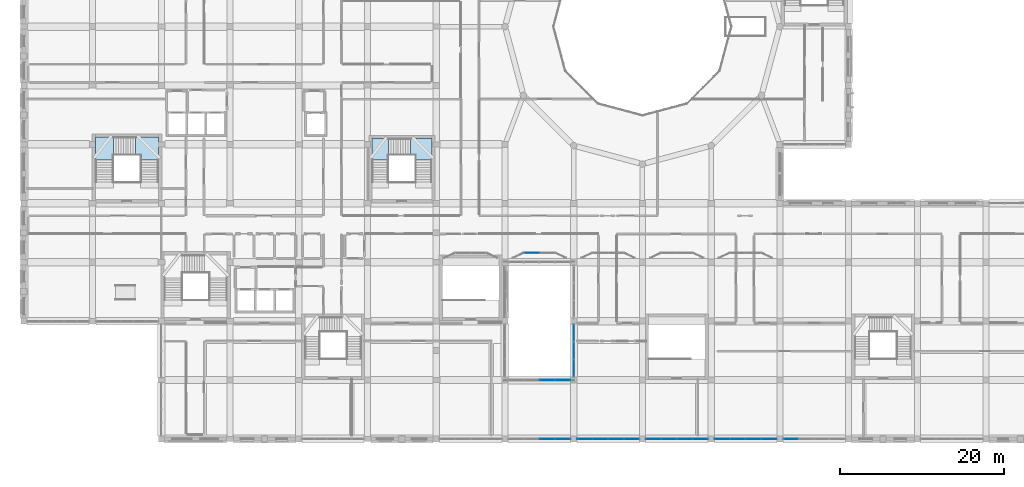
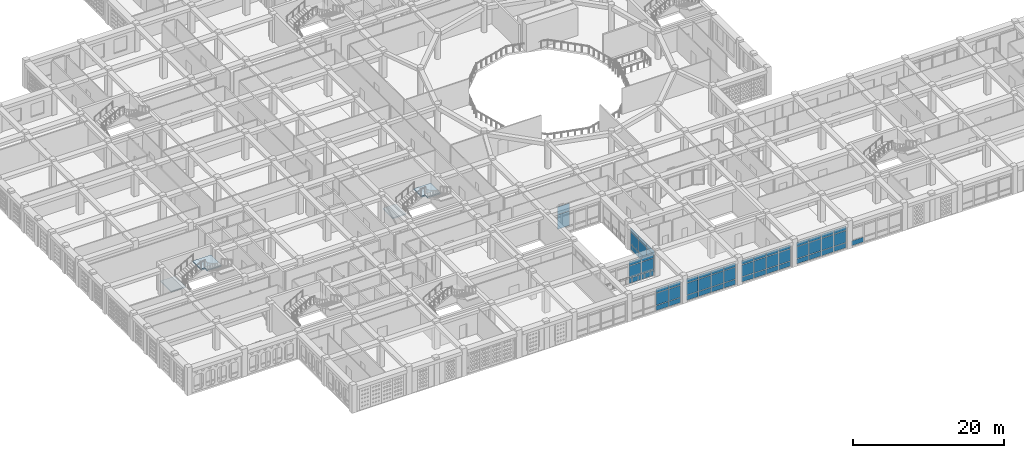
# One storey, part 64 of 121: 60 plates, 4 slabs, 10 elements without a shape of their own.
"""IFC4 building model written with IfcOpenShell, lengths in metres."""

import ifcopenshell
import ifcopenshell.guid

model = None  # the IFC model being written
_history = None  # IfcOwnerHistory: only IFC2X3 demands one
_inside = {}  # id of a spatial element -> (the spatial element, [elements in it])
_under = {}  # id of a project, library or spatial element -> (it, [spatial elements below it])
_declared = {}  # id of a project -> (the project, [libraries it declares])
_typed = {}  # id of a type object -> (the type object, [elements of that type])
_made_of = {}  # id of a material, layer set ... -> (it, [elements and type objects made of it])


def new_model(schema):
    """Start an empty IFC model of exactly this schema.

    Asked for "IFC4X3", IfcOpenShell would pick the latest addendum, in which some entities
    have other attributes; the version numbers below select the first issue.
    IFC2X3 requires an IfcOwnerHistory on every rooted entity: one is made here for all.
    """
    global model, _history
    if schema == "IFC4X3":
        model = ifcopenshell.file(schema_version=(4, 3, 0, 0))
    else:
        model = ifcopenshell.file(schema=schema)
    _inside.clear()
    _under.clear()
    _declared.clear()
    _typed.clear()
    _made_of.clear()
    _history = None
    if model.schema == "IFC2X3":
        org = make("IfcOrganization", Name="unknown")
        user = make(
            "IfcPersonAndOrganization",
            ThePerson=make("IfcPerson", FamilyName="unknown"),
            TheOrganization=org,
        )
        app = make(
            "IfcApplication",
            ApplicationDeveloper=org,
            Version="unknown",
            ApplicationFullName="unknown",
            ApplicationIdentifier="unknown",
        )
        _history = make(
            "IfcOwnerHistory",
            OwningUser=user,
            OwningApplication=app,
            ChangeAction="ADDED",
            CreationDate=0,
        )
    return model


def make(cls, **values):
    """One entity of the class cls with the attributes given. An attribute that is None is left unset."""
    return model.create_entity(
        cls, **{name: value for name, value in values.items() if value is not None}
    )


def rooted(cls, **values):
    """An entity with a GlobalId (a new one), such as an element, a storey or a relation."""
    return make(cls, GlobalId=ifcopenshell.guid.new(), OwnerHistory=_history, **values)


def si_unit(unit_type, name, prefix=None):
    """IfcSIUnit, for example si_unit("LENGTHUNIT", "METRE", prefix="MILLI")."""
    return make("IfcSIUnit", UnitType=unit_type, Prefix=prefix, Name=name)


def derived_unit(unit_type, elements):
    """IfcDerivedUnit: a product of units, each with its exponent."""
    return make(
        "IfcDerivedUnit",
        Elements=[
            make("IfcDerivedUnitElement", Unit=unit, Exponent=power)
            for unit, power in elements
        ],
        UnitType=unit_type,
    )


def assignment(units):
    """IfcUnitAssignment: the units of a project."""
    return None if units is None else make("IfcUnitAssignment", Units=units)


def point(xyz):
    """IfcCartesianPoint."""
    return None if xyz is None else make("IfcCartesianPoint", Coordinates=xyz)


def direction(xyz):
    """IfcDirection."""
    return None if xyz is None else make("IfcDirection", DirectionRatios=xyz)


def frame(location, z_axis=None, x_axis=None):
    """IfcAxis2Placement3D, a coordinate frame: its origin and axes. An axis left out is left unset."""
    return make(
        "IfcAxis2Placement3D",
        Location=point(location),
        Axis=direction(z_axis),
        RefDirection=direction(x_axis),
    )


def frame_2d(location, x_axis=None):
    """IfcAxis2Placement2D, a coordinate frame in the plane: its origin and x axis."""
    return make(
        "IfcAxis2Placement2D", Location=point(location), RefDirection=direction(x_axis)
    )


def origin():
    """The frame at (0, 0, 0) with its axes left unset."""
    return frame((0.0, 0.0, 0.0))


def origin_2d():
    """The frame at (0, 0) in the plane with its x axis left unset."""
    return frame_2d((0.0, 0.0))


def place(relative_to, where):
    """IfcLocalPlacement: puts the frame where relative to a parent placement (None: the world)."""
    return make(
        "IfcLocalPlacement", PlacementRelTo=relative_to, RelativePlacement=where
    )


def context(
    kind, dimensions, precision=None, world=None, true_north=None, identifier=None
):
    """IfcGeometricRepresentationContext, for example the 3D "Model" context."""
    return make(
        "IfcGeometricRepresentationContext",
        ContextIdentifier=identifier,
        ContextType=kind,
        CoordinateSpaceDimension=dimensions,
        Precision=precision,
        WorldCoordinateSystem=world,
        TrueNorth=true_north,
    )


def subcontext(parent, identifier, kind, view, scale=None):
    """IfcGeometricRepresentationSubContext, for example "Body" below "Model"."""
    return make(
        "IfcGeometricRepresentationSubContext",
        ContextIdentifier=identifier,
        ContextType=kind,
        ParentContext=parent,
        TargetScale=scale,
        TargetView=view,
    )


def project(units=None, contexts=None):
    """IfcProject with its units and contexts."""
    return rooted(
        "IfcProject",
        Name="project",
        RepresentationContexts=contexts,
        UnitsInContext=assignment(units),
    )


def spatial(cls, under=None, at=None, **own):
    """A site, building, storey or space (cls), placed at a placement, below another one or the project."""
    s = rooted(cls, ObjectPlacement=at, **own)
    if under is not None:
        _under.setdefault(under.id(), (under, []))[1].append(s)
    return s


def polyline(points):
    """IfcPolyline through the points."""
    return make("IfcPolyline", Points=[point(p) for p in points])


def profile(cls, at=None, kind="AREA", **sizes):
    """A parametric profile (cls). Its sizes go by their IFC names, for example OverallWidth=200.0."""
    return make(cls, ProfileType=kind, Position=at, **sizes)


def rectangle(**sizes):
    """IfcRectangleProfileDef."""
    return profile("IfcRectangleProfileDef", **sizes)


def outline(outer, holes=None, kind="AREA"):
    """IfcArbitraryClosedProfileDef: a profile drawn as a closed curve; with holes, ...WithVoids."""
    if holes is None:
        return make("IfcArbitraryClosedProfileDef", ProfileType=kind, OuterCurve=outer)
    return make(
        "IfcArbitraryProfileDefWithVoids",
        ProfileType=kind,
        OuterCurve=outer,
        InnerCurves=holes,
    )


def extrude(swept, where, along, depth):
    """IfcExtrudedAreaSolid: the profile swept, set in the frame where, extruded along a direction by depth."""
    return make(
        "IfcExtrudedAreaSolid",
        SweptArea=swept,
        Position=where,
        ExtrudedDirection=direction(along),
        Depth=depth,
    )


def shape(context_of_items, identifier, shape_type, items):
    """IfcShapeRepresentation: the items that make up one representation, for example the "Body"."""
    return make(
        "IfcShapeRepresentation",
        ContextOfItems=context_of_items,
        RepresentationIdentifier=identifier,
        RepresentationType=shape_type,
        Items=items,
    )


def material(Name=None, Category=None):
    """IfcMaterial."""
    return make("IfcMaterial", Name=Name, Category=Category)


def layer(
    of_material, thickness, ventilated=None, Name=None, Category=None, Priority=None
):
    """IfcMaterialLayer: one layer of a wall or slab, of a material (None: an air gap)."""
    return make(
        "IfcMaterialLayer",
        Material=of_material,
        LayerThickness=thickness,
        IsVentilated=ventilated,
        Name=Name,
        Category=Category,
        Priority=Priority,
    )


def layer_set(layers, Name=None):
    """IfcMaterialLayerSet."""
    return make("IfcMaterialLayerSet", MaterialLayers=layers, LayerSetName=Name)


def made_of(thing, what):
    """Note that an element or type object is made of a material, layer set ...; save() writes the relation."""
    if what is not None:
        _made_of.setdefault(what.id(), (what, []))[1].append(thing)
    return thing


def type_object(cls, material=None, **own):
    """A type object (cls), such as IfcWallType, which elements share."""
    return made_of(rooted(cls, **own), material)


def element(
    cls,
    number,
    at=None,
    inside=None,
    cuts=None,
    type_object=None,
    material=None,
    context=None,
    identifier="Body",
    shape_type=None,
    held_by="IfcProductDefinitionShape",
    body=None,
    shapes=None,
    **own,
):
    """One element of the class cls, such as IfcWall. Its Tag is "e" and its number.

    at: its placement. inside: the storey or other place that contains it. cuts: it is an
    opening in that element (IfcRelVoidsElement). A single representation is given by context,
    identifier, shape_type and body (its items); several are given by shapes. held_by: the class
    of the entity that holds the representations. save() writes the other relations.
    """
    e = rooted(cls, Tag="e%d" % number, ObjectPlacement=at, **own)
    if body is not None:
        shapes = [shape(context, identifier, shape_type, body)]
    if shapes is not None:
        e.Representation = make(held_by, Representations=shapes)
    if inside is not None:
        _inside.setdefault(inside.id(), (inside, []))[1].append(e)
    if cuts is not None:
        rooted(
            "IfcRelVoidsElement", RelatingBuildingElement=cuts, RelatedOpeningElement=e
        )
    if type_object is not None:
        _typed.setdefault(type_object.id(), (type_object, []))[1].append(e)
    return made_of(e, material)


def aggregate(whole, parts):
    """IfcRelAggregates: a whole, such as a stair, and the parts it consists of."""
    return rooted("IfcRelAggregates", RelatingObject=whole, RelatedObjects=parts)


def save(model, path):
    """Write the relations noted so far, then the file.

    IfcRelAggregates (storeys below a building ...), IfcRelContainedInSpatialStructure (elements
    in a storey), IfcRelDefinesByType, IfcRelAssociatesMaterial and IfcRelDeclares: one each for
    every whole, place, type object, material and project.
    """
    for whole, parts in _under.values():
        aggregate(whole, parts)
    for where, things in _inside.values():
        rooted(
            "IfcRelContainedInSpatialStructure",
            RelatedElements=things,
            RelatingStructure=where,
        )
    for kind, things in _typed.values():
        rooted("IfcRelDefinesByType", RelatedObjects=things, RelatingType=kind)
    for what, things in _made_of.values():
        rooted("IfcRelAssociatesMaterial", RelatedObjects=things, RelatingMaterial=what)
    for by, libraries in _declared.values():
        rooted("IfcRelDeclares", RelatingContext=by, RelatedDefinitions=libraries)
    model.write(path)


model = new_model("IFC4")

# Units and contexts
model_context = context("Model", 3, precision=1e-05, world=origin(), true_north=direction((0.0, 1.0)))
body_context = subcontext(model_context, "Body", "Model", "MODEL_VIEW")
ifc_project = project(units=[si_unit("LENGTHUNIT", "METRE"), si_unit("AREAUNIT", "SQUARE_METRE"), si_unit("VOLUMEUNIT", "CUBIC_METRE"), si_unit("PLANEANGLEUNIT", "RADIAN"), si_unit("MASSUNIT", "GRAM", prefix="KILO"), derived_unit("THERMALTRANSMITTANCEUNIT", [(si_unit("POWERUNIT", "WATT"), 1), (si_unit("LENGTHUNIT", "METRE"), -2), (si_unit("THERMODYNAMICTEMPERATUREUNIT", "KELVIN"), -1)])], contexts=[model_context])

# Site, building, storey
site_placement = place(None, origin())
site = spatial("IfcSite", under=ifc_project, at=site_placement, CompositionType="ELEMENT")
building_placement = place(site_placement, origin())
building = spatial("IfcBuilding", under=site, at=building_placement, Name="Veybourne Emporium", CompositionType="ELEMENT")
storey_placement = place(building_placement, frame((0.0, 0.0, 5.39990234375)))
storey = spatial("IfcBuildingStorey", under=building, at=storey_placement, Name="L01", CompositionType="ELEMENT", Elevation=5.39990234375)

# Curtain wall, plates
ifc_material_1 = material(Name="Patinated Architectural Bronze", Category="bronze")
curtain_wall_type_1 = type_object("IfcCurtainWallType", Name="CWSystem_CWS-08", PredefinedType="NOTDEFINED", material=ifc_material_1)
curtain_wall_1_placement = place(storey_placement, origin())
curtain_wall_1 = element("IfcCurtainWall", 1, at=curtain_wall_1_placement, inside=storey, type_object=curtain_wall_type_1, Name="L01 bronze glazed curtain wall CWS-08 (033)", PredefinedType="NOTDEFINED")
ifc_material_2 = material(Name="Low-E Triple Glazing", Category="glass")
ifc_layer_1 = layer(ifc_material_2, 0.028076171875)
ifc_layer_set_1 = layer_set([ifc_layer_1], Name="Low-E Triple Glazing")
plate_type_1 = type_object("IfcPlateType", Name="CWPanel_CW-P1", PredefinedType="CURTAIN_PANEL", material=ifc_layer_set_1)
plate_1_placement = place(storey_placement, frame((65.851318359375, 0.0, 0.070068359375), z_axis=(0.0, 0.0, 1.0), x_axis=(-1.0, 0.0, 0.0)))
plate_1 = element("IfcPlate", 2, at=plate_1_placement, type_object=plate_type_1, Name="CWS-08 panel 1.1", PredefinedType="CURTAIN_PANEL", context=body_context, shape_type="SweptSolid", body=[
    extrude(rectangle(XDim=1.8076171875, YDim=0.028076171875, at=origin_2d()), origin(), (0.0, 0.0, 1.0), 0.794921875),
])
plate_2_placement = place(storey_placement, frame((65.851318359375, 0.0, 0.93505859375), z_axis=(0.0, 0.0, 1.0), x_axis=(-1.0, 0.0, 0.0)))
plate_2 = element("IfcPlate", 3, at=plate_2_placement, type_object=plate_type_1, Name="CWS-08 panel 1.2", PredefinedType="CURTAIN_PANEL", context=body_context, shape_type="SweptSolid", body=[
    extrude(rectangle(XDim=1.8076171875, YDim=0.028076171875, at=origin_2d()), origin(), (0.0, 0.0, 1.0), 1.909912109375),
])
plate_3_placement = place(storey_placement, frame((65.851318359375, 0.0, 2.9150390625), z_axis=(0.0, 0.0, 1.0), x_axis=(-1.0, 0.0, 0.0)))
plate_3 = element("IfcPlate", 4, at=plate_3_placement, type_object=plate_type_1, Name="CWS-08 panel 1.3", PredefinedType="CURTAIN_PANEL", context=body_context, shape_type="SweptSolid", body=[
    extrude(rectangle(XDim=1.8076171875, YDim=0.028076171875, at=origin_2d()), origin(), (0.0, 0.0, 1.0), 0.64501953125),
])
plate_4_placement = place(storey_placement, frame((63.956298828125, 0.0, 0.070068359375), z_axis=(0.0, 0.0, 1.0), x_axis=(-1.0, 0.0, 0.0)))
plate_4 = element("IfcPlate", 5, at=plate_4_placement, type_object=plate_type_1, Name="CWS-08 panel 2.1", PredefinedType="CURTAIN_PANEL", context=body_context, shape_type="SweptSolid", body=[
    extrude(rectangle(XDim=1.842529296875, YDim=0.028076171875, at=origin_2d()), origin(), (0.0, 0.0, 1.0), 0.794921875),
])
plate_5_placement = place(storey_placement, frame((63.956298828125, 0.0, 0.93505859375), z_axis=(0.0, 0.0, 1.0), x_axis=(-1.0, 0.0, 0.0)))
plate_5 = element("IfcPlate", 6, at=plate_5_placement, type_object=plate_type_1, Name="CWS-08 panel 2.2", PredefinedType="CURTAIN_PANEL", context=body_context, shape_type="SweptSolid", body=[
    extrude(rectangle(XDim=1.842529296875, YDim=0.028076171875, at=origin_2d()), origin(), (0.0, 0.0, 1.0), 1.909912109375),
])
plate_6_placement = place(storey_placement, frame((63.956298828125, 0.0, 2.9150390625), z_axis=(0.0, 0.0, 1.0), x_axis=(-1.0, 0.0, 0.0)))
plate_6 = element("IfcPlate", 7, at=plate_6_placement, type_object=plate_type_1, Name="CWS-08 panel 2.3", PredefinedType="CURTAIN_PANEL", context=body_context, shape_type="SweptSolid", body=[
    extrude(rectangle(XDim=1.842529296875, YDim=0.028076171875, at=origin_2d()), origin(), (0.0, 0.0, 1.0), 0.64501953125),
])
aggregate(curtain_wall_1, [plate_1, plate_2, plate_3, plate_4, plate_5, plate_6])

curtain_wall_type_2 = type_object("IfcCurtainWallType", Name="CWSystem_CWS-09", PredefinedType="NOTDEFINED", material=ifc_material_1)
curtain_wall_2_placement = place(storey_placement, origin())
curtain_wall_2 = element("IfcCurtainWall", 8, at=curtain_wall_2_placement, inside=storey, type_object=curtain_wall_type_2, Name="L01 bronze glazed curtain wall CWS-09 (034)", PredefinedType="NOTDEFINED")
plate_7_placement = place(storey_placement, frame((63.956298828125, 7.199951171875, 0.072021484375), z_axis=(0.0, 0.0, 1.0), x_axis=(1.0, 0.0, 0.0)))
plate_7 = element("IfcPlate", 9, at=plate_7_placement, type_object=plate_type_1, Name="CWS-09 panel 3.1", PredefinedType="CURTAIN_PANEL", context=body_context, shape_type="SweptSolid", body=[
    extrude(rectangle(XDim=1.840576171875, YDim=0.028076171875, at=origin_2d()), origin(), (0.0, 0.0, 1.0), 0.7919921875),
])
plate_8_placement = place(storey_placement, frame((63.956298828125, 7.199951171875, 0.93603515625), z_axis=(0.0, 0.0, 1.0), x_axis=(1.0, 0.0, 0.0)))
plate_8 = element("IfcPlate", 10, at=plate_8_placement, type_object=plate_type_1, Name="CWS-09 panel 3.2", PredefinedType="CURTAIN_PANEL", context=body_context, shape_type="SweptSolid", body=[
    extrude(rectangle(XDim=1.840576171875, YDim=0.028076171875, at=origin_2d()), origin(), (0.0, 0.0, 1.0), 1.907958984375),
])
plate_9_placement = place(storey_placement, frame((63.956298828125, 7.199951171875, 2.916015625), z_axis=(0.0, 0.0, 1.0), x_axis=(1.0, 0.0, 0.0)))
plate_9 = element("IfcPlate", 11, at=plate_9_placement, type_object=plate_type_1, Name="CWS-09 panel 3.3", PredefinedType="CURTAIN_PANEL", context=body_context, shape_type="SweptSolid", body=[
    extrude(rectangle(XDim=1.840576171875, YDim=0.028076171875, at=origin_2d()), origin(), (0.0, 0.0, 1.0), 0.64208984375),
])
plate_10_placement = place(storey_placement, frame((65.850830078125, 7.199951171875, 0.072021484375), z_axis=(0.0, 0.0, 1.0), x_axis=(1.0, 0.0, 0.0)))
plate_10 = element("IfcPlate", 12, at=plate_10_placement, type_object=plate_type_1, Name="CWS-09 panel 4.1", PredefinedType="CURTAIN_PANEL", context=body_context, shape_type="SweptSolid", body=[
    extrude(rectangle(XDim=1.804443359375, YDim=0.028076171875, at=origin_2d()), origin(), (0.0, 0.0, 1.0), 0.7919921875),
])
plate_11_placement = place(storey_placement, frame((65.850830078125, 7.199951171875, 0.93603515625), z_axis=(0.0, 0.0, 1.0), x_axis=(1.0, 0.0, 0.0)))
plate_11 = element("IfcPlate", 13, at=plate_11_placement, type_object=plate_type_1, Name="CWS-09 panel 4.2", PredefinedType="CURTAIN_PANEL", context=body_context, shape_type="SweptSolid", body=[
    extrude(rectangle(XDim=1.804443359375, YDim=0.028076171875, at=origin_2d()), origin(), (0.0, 0.0, 1.0), 1.907958984375),
])
plate_12_placement = place(storey_placement, frame((65.850830078125, 7.199951171875, 2.916015625), z_axis=(0.0, 0.0, 1.0), x_axis=(1.0, 0.0, 0.0)))
plate_12 = element("IfcPlate", 14, at=plate_12_placement, type_object=plate_type_1, Name="CWS-09 panel 4.3", PredefinedType="CURTAIN_PANEL", context=body_context, shape_type="SweptSolid", body=[
    extrude(rectangle(XDim=1.804443359375, YDim=0.028076171875, at=origin_2d()), origin(), (0.0, 0.0, 1.0), 0.64208984375),
])
aggregate(curtain_wall_2, [plate_7, plate_8, plate_9, plate_10, plate_11, plate_12])

curtain_wall_type_3 = type_object("IfcCurtainWallType", Name="CWSystem_CWS-12", PredefinedType="NOTDEFINED", material=ifc_material_1)
curtain_wall_3_placement = place(storey_placement, origin())
curtain_wall_3 = element("IfcCurtainWall", 15, at=curtain_wall_3_placement, inside=storey, type_object=curtain_wall_type_3, Name="L01 bronze glazed curtain wall CWS-12 (037)", PredefinedType="NOTDEFINED")
plate_13_placement = place(storey_placement, frame((74.251220703125, 0.0, 0.070068359375), z_axis=(0.0, 0.0, 1.0), x_axis=(-1.0, 0.0, 0.0)))
plate_13 = element("IfcPlate", 16, at=plate_13_placement, type_object=plate_type_1, Name="CWS-12 panel 1.1", PredefinedType="CURTAIN_PANEL", context=body_context, shape_type="SweptSolid", body=[
    extrude(rectangle(XDim=1.8076171875, YDim=0.028076171875, at=origin_2d()), origin(), (0.0, 0.0, 1.0), 0.794921875),
])
plate_14_placement = place(storey_placement, frame((74.251220703125, 0.0, 0.93505859375), z_axis=(0.0, 0.0, 1.0), x_axis=(-1.0, 0.0, 0.0)))
plate_14 = element("IfcPlate", 17, at=plate_14_placement, type_object=plate_type_1, Name="CWS-12 panel 1.2", PredefinedType="CURTAIN_PANEL", context=body_context, shape_type="SweptSolid", body=[
    extrude(rectangle(XDim=1.8076171875, YDim=0.028076171875, at=origin_2d()), origin(), (0.0, 0.0, 1.0), 1.909912109375),
])
plate_15_placement = place(storey_placement, frame((74.251220703125, 0.0, 2.9150390625), z_axis=(0.0, 0.0, 1.0), x_axis=(-1.0, 0.0, 0.0)))
plate_15 = element("IfcPlate", 18, at=plate_15_placement, type_object=plate_type_1, Name="CWS-12 panel 1.3", PredefinedType="CURTAIN_PANEL", context=body_context, shape_type="SweptSolid", body=[
    extrude(rectangle(XDim=1.8076171875, YDim=0.028076171875, at=origin_2d()), origin(), (0.0, 0.0, 1.0), 0.64501953125),
])
plate_16_placement = place(storey_placement, frame((72.356201171875, 0.0, 0.070068359375), z_axis=(0.0, 0.0, 1.0), x_axis=(-1.0, 0.0, 0.0)))
plate_16 = element("IfcPlate", 19, at=plate_16_placement, type_object=plate_type_1, Name="CWS-12 panel 2.1", PredefinedType="CURTAIN_PANEL", context=body_context, shape_type="SweptSolid", body=[
    extrude(rectangle(XDim=1.842529296875, YDim=0.028076171875, at=origin_2d()), origin(), (0.0, 0.0, 1.0), 0.794921875),
])
plate_17_placement = place(storey_placement, frame((72.356201171875, 0.0, 0.93505859375), z_axis=(0.0, 0.0, 1.0), x_axis=(-1.0, 0.0, 0.0)))
plate_17 = element("IfcPlate", 20, at=plate_17_placement, type_object=plate_type_1, Name="CWS-12 panel 2.2", PredefinedType="CURTAIN_PANEL", context=body_context, shape_type="SweptSolid", body=[
    extrude(rectangle(XDim=1.842529296875, YDim=0.028076171875, at=origin_2d()), origin(), (0.0, 0.0, 1.0), 1.909912109375),
])
plate_18_placement = place(storey_placement, frame((72.356201171875, 0.0, 2.9150390625), z_axis=(0.0, 0.0, 1.0), x_axis=(-1.0, 0.0, 0.0)))
plate_18 = element("IfcPlate", 21, at=plate_18_placement, type_object=plate_type_1, Name="CWS-12 panel 2.3", PredefinedType="CURTAIN_PANEL", context=body_context, shape_type="SweptSolid", body=[
    extrude(rectangle(XDim=1.842529296875, YDim=0.028076171875, at=origin_2d()), origin(), (0.0, 0.0, 1.0), 0.64501953125),
])
plate_19_placement = place(storey_placement, frame((70.44384765625, 0.0, 0.070068359375), z_axis=(0.0, 0.0, 1.0), x_axis=(-1.0, 0.0, 0.0)))
plate_19 = element("IfcPlate", 22, at=plate_19_placement, type_object=plate_type_1, Name="CWS-12 panel 3.1", PredefinedType="CURTAIN_PANEL", context=body_context, shape_type="SweptSolid", body=[
    extrude(rectangle(XDim=1.842529296875, YDim=0.028076171875, at=origin_2d()), origin(), (0.0, 0.0, 1.0), 0.794921875),
])
plate_20_placement = place(storey_placement, frame((70.44384765625, 0.0, 0.93505859375), z_axis=(0.0, 0.0, 1.0), x_axis=(-1.0, 0.0, 0.0)))
plate_20 = element("IfcPlate", 23, at=plate_20_placement, type_object=plate_type_1, Name="CWS-12 panel 3.2", PredefinedType="CURTAIN_PANEL", context=body_context, shape_type="SweptSolid", body=[
    extrude(rectangle(XDim=1.842529296875, YDim=0.028076171875, at=origin_2d()), origin(), (0.0, 0.0, 1.0), 1.909912109375),
])
plate_21_placement = place(storey_placement, frame((70.44384765625, 0.0, 2.9150390625), z_axis=(0.0, 0.0, 1.0), x_axis=(-1.0, 0.0, 0.0)))
plate_21 = element("IfcPlate", 24, at=plate_21_placement, type_object=plate_type_1, Name="CWS-12 panel 3.3", PredefinedType="CURTAIN_PANEL", context=body_context, shape_type="SweptSolid", body=[
    extrude(rectangle(XDim=1.842529296875, YDim=0.028076171875, at=origin_2d()), origin(), (0.0, 0.0, 1.0), 0.64501953125),
])
plate_22_placement = place(storey_placement, frame((68.548828125, 0.0, 0.070068359375), z_axis=(0.0, 0.0, 1.0), x_axis=(-1.0, 0.0, 0.0)))
plate_22 = element("IfcPlate", 25, at=plate_22_placement, type_object=plate_type_1, Name="CWS-12 panel 4.1", PredefinedType="CURTAIN_PANEL", context=body_context, shape_type="SweptSolid", body=[
    extrude(rectangle(XDim=1.8076171875, YDim=0.028076171875, at=origin_2d()), origin(), (0.0, 0.0, 1.0), 0.794921875),
])
plate_23_placement = place(storey_placement, frame((68.548828125, 0.0, 0.93505859375), z_axis=(0.0, 0.0, 1.0), x_axis=(-1.0, 0.0, 0.0)))
plate_23 = element("IfcPlate", 26, at=plate_23_placement, type_object=plate_type_1, Name="CWS-12 panel 4.2", PredefinedType="CURTAIN_PANEL", context=body_context, shape_type="SweptSolid", body=[
    extrude(rectangle(XDim=1.8076171875, YDim=0.028076171875, at=origin_2d()), origin(), (0.0, 0.0, 1.0), 1.909912109375),
])
plate_24_placement = place(storey_placement, frame((68.548828125, 0.0, 2.9150390625), z_axis=(0.0, 0.0, 1.0), x_axis=(-1.0, 0.0, 0.0)))
plate_24 = element("IfcPlate", 27, at=plate_24_placement, type_object=plate_type_1, Name="CWS-12 panel 4.3", PredefinedType="CURTAIN_PANEL", context=body_context, shape_type="SweptSolid", body=[
    extrude(rectangle(XDim=1.8076171875, YDim=0.028076171875, at=origin_2d()), origin(), (0.0, 0.0, 1.0), 0.64501953125),
])
aggregate(curtain_wall_3, [plate_13, plate_14, plate_15, plate_16, plate_17, plate_18, plate_19, plate_20, plate_21, plate_22, plate_23, plate_24])

curtain_wall_type_4 = type_object("IfcCurtainWallType", Name="CWSystem_CWS-13", PredefinedType="NOTDEFINED", material=ifc_material_1)
curtain_wall_4_placement = place(storey_placement, origin())
curtain_wall_4 = element("IfcCurtainWall", 28, at=curtain_wall_4_placement, inside=storey, type_object=curtain_wall_type_4, Name="L01 bronze glazed curtain wall CWS-13 (038)", PredefinedType="NOTDEFINED")
plate_25_placement = place(storey_placement, frame((67.199951171875, 8.66796875, 0.072021484375), z_axis=(0.0, 0.0, 1.0), x_axis=(0.0, 1.0, 0.0)))
plate_25 = element("IfcPlate", 29, at=plate_25_placement, type_object=plate_type_1, Name="CWS-13 panel 1.1", PredefinedType="CURTAIN_PANEL", context=body_context, shape_type="SweptSolid", body=[
    extrude(rectangle(XDim=2.0419921875, YDim=0.028076171875, at=origin_2d()), origin(), (0.0, 0.0, 1.0), 0.7919921875),
])
plate_26_placement = place(storey_placement, frame((67.199951171875, 8.66796875, 0.93603515625), z_axis=(0.0, 0.0, 1.0), x_axis=(0.0, 1.0, 0.0)))
plate_26 = element("IfcPlate", 30, at=plate_26_placement, type_object=plate_type_1, Name="CWS-13 panel 1.2", PredefinedType="CURTAIN_PANEL", context=body_context, shape_type="SweptSolid", body=[
    extrude(rectangle(XDim=2.0419921875, YDim=0.028076171875, at=origin_2d()), origin(), (0.0, 0.0, 1.0), 1.907958984375),
])
plate_27_placement = place(storey_placement, frame((67.199951171875, 8.66796875, 2.916015625), z_axis=(0.0, 0.0, 1.0), x_axis=(0.0, 1.0, 0.0)))
plate_27 = element("IfcPlate", 31, at=plate_27_placement, type_object=plate_type_1, Name="CWS-13 panel 1.3", PredefinedType="CURTAIN_PANEL", context=body_context, shape_type="SweptSolid", body=[
    extrude(rectangle(XDim=2.0419921875, YDim=0.028076171875, at=origin_2d()), origin(), (0.0, 0.0, 1.0), 0.64208984375),
])
plate_28_placement = place(storey_placement, frame((67.199951171875, 10.800048828125, 0.072021484375), z_axis=(0.0, 0.0, 1.0), x_axis=(0.0, 1.0, 0.0)))
plate_28 = element("IfcPlate", 32, at=plate_28_placement, type_object=plate_type_1, Name="CWS-13 panel 2.1", PredefinedType="CURTAIN_PANEL", context=body_context, shape_type="SweptSolid", body=[
    extrude(rectangle(XDim=2.077880859375, YDim=0.028076171875, at=origin_2d()), origin(), (0.0, 0.0, 1.0), 0.7919921875),
])
plate_29_placement = place(storey_placement, frame((67.199951171875, 10.800048828125, 0.93603515625), z_axis=(0.0, 0.0, 1.0), x_axis=(0.0, 1.0, 0.0)))
plate_29 = element("IfcPlate", 33, at=plate_29_placement, type_object=plate_type_1, Name="CWS-13 panel 2.2", PredefinedType="CURTAIN_PANEL", context=body_context, shape_type="SweptSolid", body=[
    extrude(rectangle(XDim=2.077880859375, YDim=0.028076171875, at=origin_2d()), origin(), (0.0, 0.0, 1.0), 1.907958984375),
])
plate_30_placement = place(storey_placement, frame((67.199951171875, 10.800048828125, 2.916015625), z_axis=(0.0, 0.0, 1.0), x_axis=(0.0, 1.0, 0.0)))
plate_30 = element("IfcPlate", 34, at=plate_30_placement, type_object=plate_type_1, Name="CWS-13 panel 2.3", PredefinedType="CURTAIN_PANEL", context=body_context, shape_type="SweptSolid", body=[
    extrude(rectangle(XDim=2.077880859375, YDim=0.028076171875, at=origin_2d()), origin(), (0.0, 0.0, 1.0), 0.64208984375),
])
plate_31_placement = place(storey_placement, frame((67.199951171875, 12.931884765625, 0.072021484375), z_axis=(0.0, 0.0, 1.0), x_axis=(0.0, 1.0, 0.0)))
plate_31 = element("IfcPlate", 35, at=plate_31_placement, type_object=plate_type_1, Name="CWS-13 panel 3.1", PredefinedType="CURTAIN_PANEL", context=body_context, shape_type="SweptSolid", body=[
    extrude(rectangle(XDim=2.0419921875, YDim=0.028076171875, at=origin_2d()), origin(), (0.0, 0.0, 1.0), 0.7919921875),
])
plate_32_placement = place(storey_placement, frame((67.199951171875, 12.931884765625, 0.93603515625), z_axis=(0.0, 0.0, 1.0), x_axis=(0.0, 1.0, 0.0)))
plate_32 = element("IfcPlate", 36, at=plate_32_placement, type_object=plate_type_1, Name="CWS-13 panel 3.2", PredefinedType="CURTAIN_PANEL", context=body_context, shape_type="SweptSolid", body=[
    extrude(rectangle(XDim=2.0419921875, YDim=0.028076171875, at=origin_2d()), origin(), (0.0, 0.0, 1.0), 1.907958984375),
])
plate_33_placement = place(storey_placement, frame((67.199951171875, 12.931884765625, 2.916015625), z_axis=(0.0, 0.0, 1.0), x_axis=(0.0, 1.0, 0.0)))
plate_33 = element("IfcPlate", 37, at=plate_33_placement, type_object=plate_type_1, Name="CWS-13 panel 3.3", PredefinedType="CURTAIN_PANEL", context=body_context, shape_type="SweptSolid", body=[
    extrude(rectangle(XDim=2.0419921875, YDim=0.028076171875, at=origin_2d()), origin(), (0.0, 0.0, 1.0), 0.64208984375),
])
aggregate(curtain_wall_4, [plate_25, plate_26, plate_27, plate_28, plate_29, plate_30, plate_31, plate_32, plate_33])

curtain_wall_type_5 = type_object("IfcCurtainWallType", Name="CWSystem_CWS-15", PredefinedType="NOTDEFINED", material=ifc_material_1)
curtain_wall_5_placement = place(storey_placement, origin())
curtain_wall_5 = element("IfcCurtainWall", 38, at=curtain_wall_5_placement, inside=storey, type_object=curtain_wall_type_5, Name="L01 bronze glazed curtain wall CWS-15 (041)", PredefinedType="NOTDEFINED")
plate_34_placement = place(storey_placement, frame((82.649169921875, 0.0, 0.078125), z_axis=(0.0, 0.0, 1.0), x_axis=(-1.0, 0.0, 0.0)))
plate_34 = element("IfcPlate", 39, at=plate_34_placement, type_object=plate_type_1, Name="CWS-15 panel 1.1", PredefinedType="CURTAIN_PANEL", context=body_context, shape_type="SweptSolid", body=[
    extrude(rectangle(XDim=1.79541015625, YDim=0.028076171875, at=origin_2d()), origin(), (0.0, 0.0, 1.0), 0.782958984375),
])
plate_35_placement = place(storey_placement, frame((82.649169921875, 0.0, 0.93896484375), z_axis=(0.0, 0.0, 1.0), x_axis=(-1.0, 0.0, 0.0)))
plate_35 = element("IfcPlate", 40, at=plate_35_placement, type_object=plate_type_1, Name="CWS-15 panel 1.2", PredefinedType="CURTAIN_PANEL", context=body_context, shape_type="SweptSolid", body=[
    extrude(rectangle(XDim=1.79541015625, YDim=0.028076171875, at=origin_2d()), origin(), (0.0, 0.0, 1.0), 1.902099609375),
])
plate_36_placement = place(storey_placement, frame((82.649169921875, 0.0, 2.9189453125), z_axis=(0.0, 0.0, 1.0), x_axis=(-1.0, 0.0, 0.0)))
plate_36 = element("IfcPlate", 41, at=plate_36_placement, type_object=plate_type_1, Name="CWS-15 panel 1.3", PredefinedType="CURTAIN_PANEL", context=body_context, shape_type="SweptSolid", body=[
    extrude(rectangle(XDim=1.79541015625, YDim=0.028076171875, at=origin_2d()), origin(), (0.0, 0.0, 1.0), 0.633056640625),
])
plate_37_placement = place(storey_placement, frame((80.75634765625, 0.0, 0.078125), z_axis=(0.0, 0.0, 1.0), x_axis=(-1.0, 0.0, 0.0)))
plate_37 = element("IfcPlate", 42, at=plate_37_placement, type_object=plate_type_1, Name="CWS-15 panel 2.1", PredefinedType="CURTAIN_PANEL", context=body_context, shape_type="SweptSolid", body=[
    extrude(rectangle(XDim=1.83447265625, YDim=0.028076171875, at=origin_2d()), origin(), (0.0, 0.0, 1.0), 0.782958984375),
])
plate_38_placement = place(storey_placement, frame((80.75634765625, 0.0, 0.93896484375), z_axis=(0.0, 0.0, 1.0), x_axis=(-1.0, 0.0, 0.0)))
plate_38 = element("IfcPlate", 43, at=plate_38_placement, type_object=plate_type_1, Name="CWS-15 panel 2.2", PredefinedType="CURTAIN_PANEL", context=body_context, shape_type="SweptSolid", body=[
    extrude(rectangle(XDim=1.83447265625, YDim=0.028076171875, at=origin_2d()), origin(), (0.0, 0.0, 1.0), 1.902099609375),
])
plate_39_placement = place(storey_placement, frame((80.75634765625, 0.0, 2.9189453125), z_axis=(0.0, 0.0, 1.0), x_axis=(-1.0, 0.0, 0.0)))
plate_39 = element("IfcPlate", 44, at=plate_39_placement, type_object=plate_type_1, Name="CWS-15 panel 2.3", PredefinedType="CURTAIN_PANEL", context=body_context, shape_type="SweptSolid", body=[
    extrude(rectangle(XDim=1.83447265625, YDim=0.028076171875, at=origin_2d()), origin(), (0.0, 0.0, 1.0), 0.633056640625),
])
plate_40_placement = place(storey_placement, frame((78.84375, 0.0, 0.078125), z_axis=(0.0, 0.0, 1.0), x_axis=(-1.0, 0.0, 0.0)))
plate_40 = element("IfcPlate", 45, at=plate_40_placement, type_object=plate_type_1, Name="CWS-15 panel 3.1", PredefinedType="CURTAIN_PANEL", context=body_context, shape_type="SweptSolid", body=[
    extrude(rectangle(XDim=1.83447265625, YDim=0.028076171875, at=origin_2d()), origin(), (0.0, 0.0, 1.0), 0.782958984375),
])
plate_41_placement = place(storey_placement, frame((78.84375, 0.0, 0.93896484375), z_axis=(0.0, 0.0, 1.0), x_axis=(-1.0, 0.0, 0.0)))
plate_41 = element("IfcPlate", 46, at=plate_41_placement, type_object=plate_type_1, Name="CWS-15 panel 3.2", PredefinedType="CURTAIN_PANEL", context=body_context, shape_type="SweptSolid", body=[
    extrude(rectangle(XDim=1.83447265625, YDim=0.028076171875, at=origin_2d()), origin(), (0.0, 0.0, 1.0), 1.902099609375),
])
plate_42_placement = place(storey_placement, frame((78.84375, 0.0, 2.9189453125), z_axis=(0.0, 0.0, 1.0), x_axis=(-1.0, 0.0, 0.0)))
plate_42 = element("IfcPlate", 47, at=plate_42_placement, type_object=plate_type_1, Name="CWS-15 panel 3.3", PredefinedType="CURTAIN_PANEL", context=body_context, shape_type="SweptSolid", body=[
    extrude(rectangle(XDim=1.83447265625, YDim=0.028076171875, at=origin_2d()), origin(), (0.0, 0.0, 1.0), 0.633056640625),
])
plate_43_placement = place(storey_placement, frame((76.95068359375, 0.0, 0.078125), z_axis=(0.0, 0.0, 1.0), x_axis=(-1.0, 0.0, 0.0)))
plate_43 = element("IfcPlate", 48, at=plate_43_placement, type_object=plate_type_1, Name="CWS-15 panel 4.1", PredefinedType="CURTAIN_PANEL", context=body_context, shape_type="SweptSolid", body=[
    extrude(rectangle(XDim=1.79541015625, YDim=0.028076171875, at=origin_2d()), origin(), (0.0, 0.0, 1.0), 0.782958984375),
])
plate_44_placement = place(storey_placement, frame((76.95068359375, 0.0, 0.93896484375), z_axis=(0.0, 0.0, 1.0), x_axis=(-1.0, 0.0, 0.0)))
plate_44 = element("IfcPlate", 49, at=plate_44_placement, type_object=plate_type_1, Name="CWS-15 panel 4.2", PredefinedType="CURTAIN_PANEL", context=body_context, shape_type="SweptSolid", body=[
    extrude(rectangle(XDim=1.79541015625, YDim=0.028076171875, at=origin_2d()), origin(), (0.0, 0.0, 1.0), 1.902099609375),
])
plate_45_placement = place(storey_placement, frame((76.95068359375, 0.0, 2.9189453125), z_axis=(0.0, 0.0, 1.0), x_axis=(-1.0, 0.0, 0.0)))
plate_45 = element("IfcPlate", 50, at=plate_45_placement, type_object=plate_type_1, Name="CWS-15 panel 4.3", PredefinedType="CURTAIN_PANEL", context=body_context, shape_type="SweptSolid", body=[
    extrude(rectangle(XDim=1.79541015625, YDim=0.028076171875, at=origin_2d()), origin(), (0.0, 0.0, 1.0), 0.633056640625),
])
aggregate(curtain_wall_5, [plate_34, plate_35, plate_36, plate_37, plate_38, plate_39, plate_40, plate_41, plate_42, plate_43, plate_44, plate_45])

curtain_wall_type_6 = type_object("IfcCurtainWallType", Name="CWSystem_CWS-17", PredefinedType="NOTDEFINED", material=ifc_material_1)
curtain_wall_6_placement = place(storey_placement, origin())
curtain_wall_6 = element("IfcCurtainWall", 51, at=curtain_wall_6_placement, inside=storey, type_object=curtain_wall_type_6, Name="L01 bronze glazed curtain wall CWS-17 (043)", PredefinedType="NOTDEFINED")
plate_46_placement = place(storey_placement, frame((91.05078125, 0.0, 0.072021484375), z_axis=(0.0, 0.0, 1.0), x_axis=(-1.0, 0.0, 0.0)))
plate_46 = element("IfcPlate", 52, at=plate_46_placement, type_object=plate_type_1, Name="CWS-17 panel 1.1", PredefinedType="CURTAIN_PANEL", context=body_context, shape_type="SweptSolid", body=[
    extrude(rectangle(XDim=1.804443359375, YDim=0.028076171875, at=origin_2d()), origin(), (0.0, 0.0, 1.0), 0.7919921875),
])
plate_47_placement = place(storey_placement, frame((91.05078125, 0.0, 0.93603515625), z_axis=(0.0, 0.0, 1.0), x_axis=(-1.0, 0.0, 0.0)))
plate_47 = element("IfcPlate", 53, at=plate_47_placement, type_object=plate_type_1, Name="CWS-17 panel 1.2", PredefinedType="CURTAIN_PANEL", context=body_context, shape_type="SweptSolid", body=[
    extrude(rectangle(XDim=1.804443359375, YDim=0.028076171875, at=origin_2d()), origin(), (0.0, 0.0, 1.0), 1.907958984375),
])
plate_48_placement = place(storey_placement, frame((91.05078125, 0.0, 2.916015625), z_axis=(0.0, 0.0, 1.0), x_axis=(-1.0, 0.0, 0.0)))
plate_48 = element("IfcPlate", 54, at=plate_48_placement, type_object=plate_type_1, Name="CWS-17 panel 1.3", PredefinedType="CURTAIN_PANEL", context=body_context, shape_type="SweptSolid", body=[
    extrude(rectangle(XDim=1.804443359375, YDim=0.028076171875, at=origin_2d()), origin(), (0.0, 0.0, 1.0), 0.64208984375),
])
plate_49_placement = place(storey_placement, frame((89.15625, 0.0, 0.072021484375), z_axis=(0.0, 0.0, 1.0), x_axis=(-1.0, 0.0, 0.0)))
plate_49 = element("IfcPlate", 55, at=plate_49_placement, type_object=plate_type_1, Name="CWS-17 panel 2.1", PredefinedType="CURTAIN_PANEL", context=body_context, shape_type="SweptSolid", body=[
    extrude(rectangle(XDim=1.840576171875, YDim=0.028076171875, at=origin_2d()), origin(), (0.0, 0.0, 1.0), 0.7919921875),
])
plate_50_placement = place(storey_placement, frame((89.15625, 0.0, 0.93603515625), z_axis=(0.0, 0.0, 1.0), x_axis=(-1.0, 0.0, 0.0)))
plate_50 = element("IfcPlate", 56, at=plate_50_placement, type_object=plate_type_1, Name="CWS-17 panel 2.2", PredefinedType="CURTAIN_PANEL", context=body_context, shape_type="SweptSolid", body=[
    extrude(rectangle(XDim=1.840576171875, YDim=0.028076171875, at=origin_2d()), origin(), (0.0, 0.0, 1.0), 1.907958984375),
])
plate_51_placement = place(storey_placement, frame((89.15625, 0.0, 2.916015625), z_axis=(0.0, 0.0, 1.0), x_axis=(-1.0, 0.0, 0.0)))
plate_51 = element("IfcPlate", 57, at=plate_51_placement, type_object=plate_type_1, Name="CWS-17 panel 2.3", PredefinedType="CURTAIN_PANEL", context=body_context, shape_type="SweptSolid", body=[
    extrude(rectangle(XDim=1.840576171875, YDim=0.028076171875, at=origin_2d()), origin(), (0.0, 0.0, 1.0), 0.64208984375),
])
plate_52_placement = place(storey_placement, frame((87.24365234375, 0.0, 0.072021484375), z_axis=(0.0, 0.0, 1.0), x_axis=(-1.0, 0.0, 0.0)))
plate_52 = element("IfcPlate", 58, at=plate_52_placement, type_object=plate_type_1, Name="CWS-17 panel 3.1", PredefinedType="CURTAIN_PANEL", context=body_context, shape_type="SweptSolid", body=[
    extrude(rectangle(XDim=1.840576171875, YDim=0.028076171875, at=origin_2d()), origin(), (0.0, 0.0, 1.0), 0.7919921875),
])
plate_53_placement = place(storey_placement, frame((87.24365234375, 0.0, 0.93603515625), z_axis=(0.0, 0.0, 1.0), x_axis=(-1.0, 0.0, 0.0)))
plate_53 = element("IfcPlate", 59, at=plate_53_placement, type_object=plate_type_1, Name="CWS-17 panel 3.2", PredefinedType="CURTAIN_PANEL", context=body_context, shape_type="SweptSolid", body=[
    extrude(rectangle(XDim=1.840576171875, YDim=0.028076171875, at=origin_2d()), origin(), (0.0, 0.0, 1.0), 1.907958984375),
])
plate_54_placement = place(storey_placement, frame((87.24365234375, 0.0, 2.916015625), z_axis=(0.0, 0.0, 1.0), x_axis=(-1.0, 0.0, 0.0)))
plate_54 = element("IfcPlate", 60, at=plate_54_placement, type_object=plate_type_1, Name="CWS-17 panel 3.3", PredefinedType="CURTAIN_PANEL", context=body_context, shape_type="SweptSolid", body=[
    extrude(rectangle(XDim=1.840576171875, YDim=0.028076171875, at=origin_2d()), origin(), (0.0, 0.0, 1.0), 0.64208984375),
])
plate_55_placement = place(storey_placement, frame((85.349365234375, 0.0, 0.072021484375), z_axis=(0.0, 0.0, 1.0), x_axis=(-1.0, 0.0, 0.0)))
plate_55 = element("IfcPlate", 61, at=plate_55_placement, type_object=plate_type_1, Name="CWS-17 panel 4.1", PredefinedType="CURTAIN_PANEL", context=body_context, shape_type="SweptSolid", body=[
    extrude(rectangle(XDim=1.804443359375, YDim=0.028076171875, at=origin_2d()), origin(), (0.0, 0.0, 1.0), 0.7919921875),
])
plate_56_placement = place(storey_placement, frame((85.349365234375, 0.0, 0.93603515625), z_axis=(0.0, 0.0, 1.0), x_axis=(-1.0, 0.0, 0.0)))
plate_56 = element("IfcPlate", 62, at=plate_56_placement, type_object=plate_type_1, Name="CWS-17 panel 4.2", PredefinedType="CURTAIN_PANEL", context=body_context, shape_type="SweptSolid", body=[
    extrude(rectangle(XDim=1.804443359375, YDim=0.028076171875, at=origin_2d()), origin(), (0.0, 0.0, 1.0), 1.907958984375),
])
plate_57_placement = place(storey_placement, frame((85.349365234375, 0.0, 2.916015625), z_axis=(0.0, 0.0, 1.0), x_axis=(-1.0, 0.0, 0.0)))
plate_57 = element("IfcPlate", 63, at=plate_57_placement, type_object=plate_type_1, Name="CWS-17 panel 4.3", PredefinedType="CURTAIN_PANEL", context=body_context, shape_type="SweptSolid", body=[
    extrude(rectangle(XDim=1.804443359375, YDim=0.028076171875, at=origin_2d()), origin(), (0.0, 0.0, 1.0), 0.64208984375),
])
aggregate(curtain_wall_6, [plate_46, plate_47, plate_48, plate_49, plate_50, plate_51, plate_52, plate_53, plate_54, plate_55, plate_56, plate_57])

# Curtain wall, plate
curtain_wall_type_7 = type_object("IfcCurtainWallType", Name="CWSystem_CWS-19", PredefinedType="NOTDEFINED", material=ifc_material_1)
curtain_wall_7_placement = place(storey_placement, origin())
curtain_wall_7 = element("IfcCurtainWall", 64, at=curtain_wall_7_placement, inside=storey, type_object=curtain_wall_type_7, Name="L01 bronze glazed curtain wall CWS-19 (046)", PredefinedType="NOTDEFINED")
plate_58_placement = place(storey_placement, frame((93.750732421875, 0.0, 0.078125), z_axis=(0.0, 0.0, 1.0), x_axis=(-1.0, 0.0, 0.0)))
plate_58 = element("IfcPlate", 65, at=plate_58_placement, type_object=plate_type_1, Name="CWS-19 panel 4.1", PredefinedType="CURTAIN_PANEL", context=body_context, shape_type="SweptSolid", body=[
    extrude(rectangle(XDim=1.79541015625, YDim=0.028076171875, at=origin_2d()), origin(), (0.0, 0.0, 1.0), 0.782958984375),
])
aggregate(curtain_wall_7, [plate_58])

# Curtain wall, plates
curtain_wall_type_8 = type_object("IfcCurtainWallType", Name="CWSystem_CWI-03", PredefinedType="NOTDEFINED", material=ifc_material_1)
curtain_wall_8_placement = place(storey_placement, origin())
curtain_wall_8 = element("IfcCurtainWall", 66, at=curtain_wall_8_placement, inside=storey, type_object=curtain_wall_type_8, Name="Arcade bow-front boutique shopfront L01 bay 7 facet 2", PredefinedType="NOTDEFINED")
ifc_material_3 = material(Name="Solar Control Laminated Glass", Category="glass")
ifc_layer_2 = layer(ifc_material_3, 0.02197265625)
ifc_layer_set_2 = layer_set([ifc_layer_2], Name="Solar Control Laminated Glass")
plate_type_2 = type_object("IfcPlateType", Name="CWPanel_CW-P3", PredefinedType="CURTAIN_PANEL", material=ifc_layer_set_2)
plate_59_placement = place(storey_placement, frame((62.0625, 22.75, 0.05029296875), z_axis=(0.0, 0.0, 1.0), x_axis=(1.0, 0.0, 0.0)))
plate_59 = element("IfcPlate", 67, at=plate_59_placement, type_object=plate_type_2, Name="CWI-03 panel 1.1", PredefinedType="CURTAIN_PANEL", context=body_context, shape_type="SweptSolid", body=[
    extrude(rectangle(XDim=1.824951171875, YDim=0.02197265625, at=origin_2d()), origin(), (0.0, 0.0, 1.0), 2.324951171875),
])
plate_60_placement = place(storey_placement, frame((62.0625, 22.75, 2.425048828125), z_axis=(0.0, 0.0, 1.0), x_axis=(1.0, 0.0, 0.0)))
plate_60 = element("IfcPlate", 68, at=plate_60_placement, type_object=plate_type_2, Name="CWI-03 panel 1.2", PredefinedType="CURTAIN_PANEL", context=body_context, shape_type="SweptSolid", body=[
    extrude(rectangle(XDim=1.824951171875, YDim=0.02197265625, at=origin_2d()), origin(), (0.0, 0.0, 1.0), 1.22509765625),
])
aggregate(curtain_wall_8, [plate_59, plate_60])

# Stair, slabs
ifc_material_4 = material(Name="Concrete C32/40", Category="concrete")
stair_type_1 = type_object("IfcStairType", Name="Stair_ST-02-R30", PredefinedType="TWO_QUARTER_TURN_STAIR", material=ifc_material_4)
stair_1_placement = place(storey_placement, origin())
stair_1 = element("IfcStair", 69, at=stair_1_placement, inside=storey, type_object=stair_type_1, Name="L01 stair ST-02", PredefinedType="TWO_QUARTER_TURN_STAIR")
ifc_layer_3 = layer(ifc_material_4, 0.199951171875)
ifc_layer_set_3 = layer_set([ifc_layer_3], Name="Concrete C32/40")
slab_type = type_object("IfcSlabType", Name="Landing_LDG-01", PredefinedType="LANDING", material=ifc_layer_set_3)
slab_1_placement = place(storey_placement, frame((0.0, 0.0, 1.300048828125)))
slab_1 = element("IfcSlab", 70, at=slab_1_placement, type_object=slab_type, Name="ST-02-R30 landing 1", PredefinedType="LANDING", context=body_context, shape_type="SweptSolid", body=[
    extrude(outline(polyline([(8.75, 34.10009765625), (10.949951171875, 34.10009765625), (10.949951171875, 36.89990234375), (8.75, 36.89990234375), (8.75, 34.10009765625)])), origin(), (0.0, 0.0, 1.0), 0.199951171875),
])
slab_2_placement = place(storey_placement, frame((0.0, 0.0, 2.800048828125)))
slab_2 = element("IfcSlab", 71, at=slab_2_placement, type_object=slab_type, Name="ST-02-R30 landing 2", PredefinedType="LANDING", context=body_context, shape_type="SweptSolid", body=[
    extrude(outline(polyline([(13.64990234375, 34.699951171875), (14.25, 34.699951171875), (14.25, 34.10009765625), (16.449951171875, 34.10009765625), (16.449951171875, 36.89990234375), (13.64990234375, 36.89990234375), (13.64990234375, 34.699951171875)])), origin(), (0.0, 0.0, 1.0), 0.199951171875),
])
aggregate(stair_1, [slab_1, slab_2])

stair_type_2 = type_object("IfcStairType", Name="Stair_ST-05-R30", PredefinedType="TWO_QUARTER_TURN_STAIR", material=ifc_material_4)
stair_2_placement = place(storey_placement, origin())
stair_2 = element("IfcStair", 72, at=stair_2_placement, inside=storey, type_object=stair_type_2, Name="L01 stair ST-05", PredefinedType="TWO_QUARTER_TURN_STAIR")
slab_3_placement = place(storey_placement, frame((0.0, 0.0, 1.300048828125)))
slab_3 = element("IfcSlab", 73, at=slab_3_placement, type_object=slab_type, Name="ST-05-R30 landing 1", PredefinedType="LANDING", context=body_context, shape_type="SweptSolid", body=[
    extrude(outline(polyline([(42.550048828125, 34.10009765625), (44.550048828125, 34.10009765625), (44.550048828125, 36.699951171875), (42.550048828125, 36.699951171875), (42.550048828125, 34.10009765625)])), origin(), (0.0, 0.0, 1.0), 0.199951171875),
])
slab_4_placement = place(storey_placement, frame((0.0, 0.0, 2.800048828125)))
slab_4 = element("IfcSlab", 74, at=slab_4_placement, type_object=slab_type, Name="ST-05-R30 landing 2", PredefinedType="LANDING", context=body_context, shape_type="SweptSolid", body=[
    extrude(outline(polyline([(47.25, 34.699951171875), (47.85009765625, 34.699951171875), (47.85009765625, 34.10009765625), (49.85009765625, 34.10009765625), (49.85009765625, 36.699951171875), (47.25, 36.699951171875), (47.25, 34.699951171875)])), origin(), (0.0, 0.0, 1.0), 0.199951171875),
])
aggregate(stair_2, [slab_3, slab_4])

save(model, "model.ifc")
